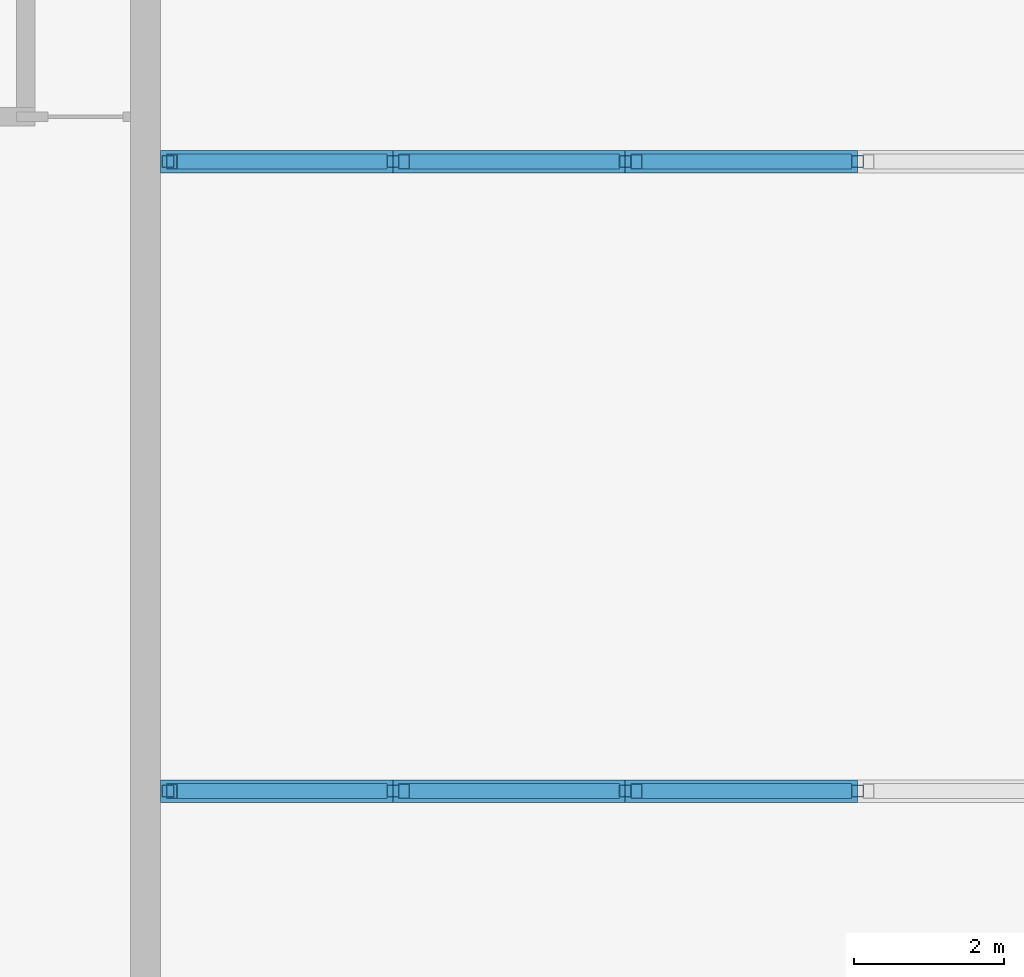
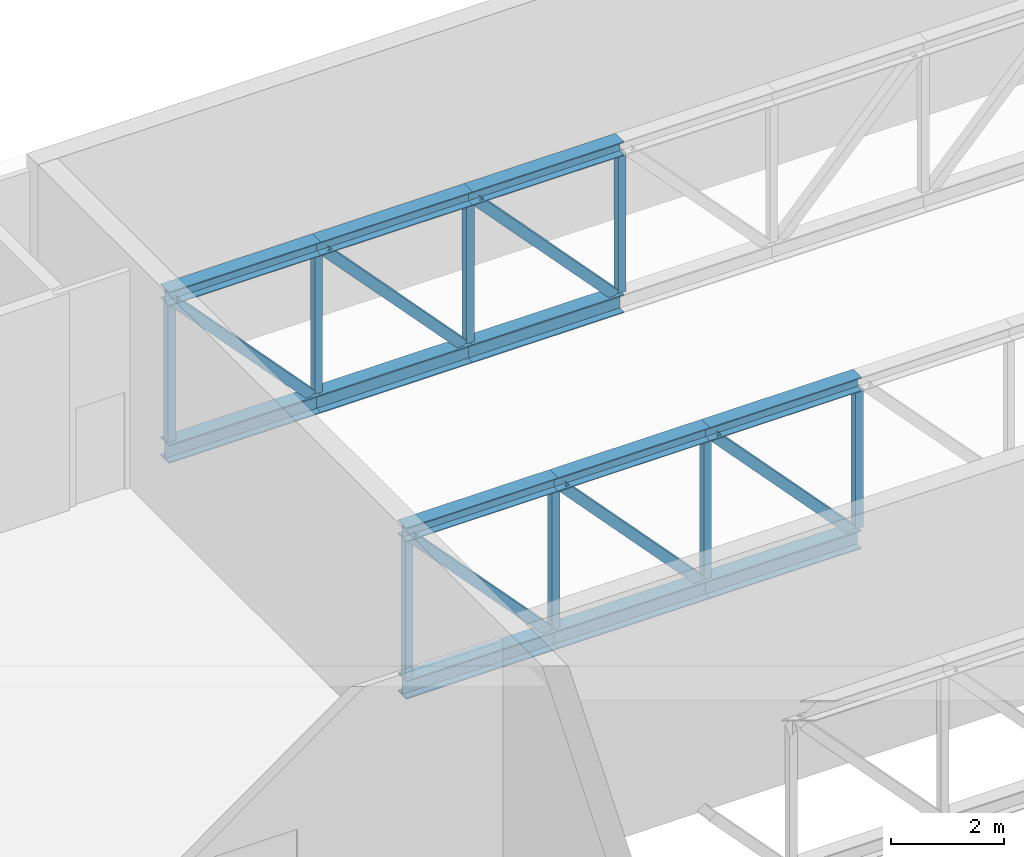
# One storey, part 6 of 26: 26 members.
"""IFC4 building model written with IfcOpenShell, lengths in metres."""

from ifc_helpers import new_model, si_unit, direction, frame, origin, origin_2d, place, context, subcontext, project, spatial, hollow_rectangle, i_section, extrude, material, material_profile, profile_set, type_object, element, save


model = new_model("IFC4")

# Units and contexts
model_context = context("Model", 3, precision=1e-05, world=origin(), true_north=direction((0.0, 1.0)))
body_context = subcontext(model_context, "Body", "Model", "MODEL_VIEW")
ifc_project = project(units=[si_unit("LENGTHUNIT", "METRE"), si_unit("AREAUNIT", "SQUARE_METRE"), si_unit("VOLUMEUNIT", "CUBIC_METRE"), si_unit("PLANEANGLEUNIT", "RADIAN"), si_unit("MASSUNIT", "GRAM", prefix="KILO")], contexts=[model_context])

# Site, building, storey
site_placement = place(None, origin())
site = spatial("IfcSite", under=ifc_project, at=site_placement, CompositionType="ELEMENT")
building_placement = place(site_placement, origin())
building = spatial("IfcBuilding", under=site, at=building_placement, Name="Candeia Pilgrim Tower and Theatre", CompositionType="ELEMENT")
storey_placement = place(building_placement, frame((0.0, 0.0, 34.0)))
storey = spatial("IfcBuildingStorey", under=building, at=storey_placement, Name="L05", CompositionType="ELEMENT", Elevation=34.0)

# Members
ifc_material = material(Name="Steel S355", Category="steel")
ifc_material_profile_1 = material_profile(ifc_material, i_section(OverallWidth=0.300048828125, OverallDepth=0.300048828125, WebThickness=0.010986328125, FlangeThickness=0.01904296875, at=origin_2d()))
ifc_profile_set_1 = profile_set([ifc_material_profile_1], Name="Steel S355")
member_type_1 = type_object("IfcMemberType", Name="Truss chord HEB 300", PredefinedType="CHORD", material=ifc_profile_set_1)
member_1_placement = place(storey_placement, frame((193.0, 103.800048828125, 4.35009765625), z_axis=(1.0, 0.0, 0.0), x_axis=(0.0, 1.0, 0.0)))
element("IfcMember", 1, at=member_1_placement, inside=storey, type_object=member_type_1, Name="Truss 5 top chord 1", PredefinedType="CHORD", context=body_context, shape_type="SweptSolid", body=[
    extrude(i_section(OverallWidth=0.300048828125, OverallDepth=0.300048828125, WebThickness=0.010986328125, FlangeThickness=0.01904296875, at=origin_2d()), origin(), (0.0, 0.0, 1.0), 3.10009765625),
])
member_2_placement = place(storey_placement, frame((196.10009765625, 103.800048828125, 4.35009765625), z_axis=(1.0, 0.0, 0.0), x_axis=(0.0, 1.0, 0.0)))
element("IfcMember", 2, at=member_2_placement, inside=storey, type_object=member_type_1, Name="Truss 5 top chord 2", PredefinedType="CHORD", context=body_context, shape_type="SweptSolid", body=[
    extrude(i_section(OverallWidth=0.300048828125, OverallDepth=0.300048828125, WebThickness=0.010986328125, FlangeThickness=0.01904296875, at=origin_2d()), origin(), (0.0, 0.0, 1.0), 3.099853515625),
])
for number, where, z_axis, x_axis, name in (
    (3, (199.199951171875, 103.800048828125, 4.35009765625), (1.0, 0.0, 0.0), (0.0, 1.0, 0.0), "Truss 5 top chord 3"),
    (4, (193.0, 112.199951171875, 4.35009765625), (1.0, 0.0, 0.0), (0.0, 1.0, 0.0), "Truss 6 top chord 1"),
):
    element("IfcMember", number, at=place(storey_placement, frame(where, z_axis=z_axis, x_axis=x_axis)), inside=storey, type_object=member_type_1, Name=name, PredefinedType="CHORD", context=body_context, shape_type="SweptSolid", body=[
        extrude(i_section(OverallWidth=0.300048828125, OverallDepth=0.300048828125, WebThickness=0.010986328125, FlangeThickness=0.01904296875, at=origin_2d()), origin(), (0.0, 0.0, 1.0), 3.10009765625),
    ])
member_3_placement = place(storey_placement, frame((196.10009765625, 112.199951171875, 4.35009765625), z_axis=(1.0, 0.0, 0.0), x_axis=(0.0, 1.0, 0.0)))
element("IfcMember", 5, at=member_3_placement, inside=storey, type_object=member_type_1, Name="Truss 6 top chord 2", PredefinedType="CHORD", context=body_context, shape_type="SweptSolid", body=[
    extrude(i_section(OverallWidth=0.300048828125, OverallDepth=0.300048828125, WebThickness=0.010986328125, FlangeThickness=0.01904296875, at=origin_2d()), origin(), (0.0, 0.0, 1.0), 3.099853515625),
])
member_4_placement = place(storey_placement, frame((199.199951171875, 112.199951171875, 4.35009765625), z_axis=(1.0, 0.0, 0.0), x_axis=(0.0, 1.0, 0.0)))
element("IfcMember", 6, at=member_4_placement, inside=storey, type_object=member_type_1, Name="Truss 6 top chord 3", PredefinedType="CHORD", context=body_context, shape_type="SweptSolid", body=[
    extrude(i_section(OverallWidth=0.300048828125, OverallDepth=0.300048828125, WebThickness=0.010986328125, FlangeThickness=0.01904296875, at=origin_2d()), origin(), (0.0, 0.0, 1.0), 3.10009765625),
])
ifc_material_profile_2 = material_profile(ifc_material, i_section(OverallWidth=0.300048828125, OverallDepth=0.39990234375, WebThickness=0.013427734375, FlangeThickness=0.02392578125, at=origin_2d()))
ifc_profile_set_2 = profile_set([ifc_material_profile_2], Name="Steel S355")
member_type_2 = type_object("IfcMemberType", Name="Truss chord HEB 400", PredefinedType="CHORD", material=ifc_profile_set_2)
member_5_placement = place(storey_placement, frame((193.0, 103.800048828125, 1.0), z_axis=(1.0, 0.0, 0.0), x_axis=(0.0, 1.0, 0.0)))
element("IfcMember", 7, at=member_5_placement, inside=storey, type_object=member_type_2, Name="Truss 5 bottom chord 1", PredefinedType="CHORD", context=body_context, shape_type="SweptSolid", body=[
    extrude(i_section(OverallWidth=0.300048828125, OverallDepth=0.39990234375, WebThickness=0.013427734375, FlangeThickness=0.02392578125, at=origin_2d()), origin(), (0.0, 0.0, 1.0), 3.10009765625),
])
member_6_placement = place(storey_placement, frame((196.10009765625, 103.800048828125, 1.0), z_axis=(1.0, 0.0, 0.0), x_axis=(0.0, 1.0, 0.0)))
element("IfcMember", 8, at=member_6_placement, inside=storey, type_object=member_type_2, Name="Truss 5 bottom chord 2", PredefinedType="CHORD", context=body_context, shape_type="SweptSolid", body=[
    extrude(i_section(OverallWidth=0.300048828125, OverallDepth=0.39990234375, WebThickness=0.013427734375, FlangeThickness=0.02392578125, at=origin_2d()), origin(), (0.0, 0.0, 1.0), 3.099853515625),
])
for number, where, z_axis, x_axis, name in (
    (9, (199.199951171875, 103.800048828125, 1.0), (1.0, 0.0, 0.0), (0.0, 1.0, 0.0), "Truss 5 bottom chord 3"),
    (10, (193.0, 112.199951171875, 1.0), (1.0, 0.0, 0.0), (0.0, 1.0, 0.0), "Truss 6 bottom chord 1"),
):
    element("IfcMember", number, at=place(storey_placement, frame(where, z_axis=z_axis, x_axis=x_axis)), inside=storey, type_object=member_type_2, Name=name, PredefinedType="CHORD", context=body_context, shape_type="SweptSolid", body=[
        extrude(i_section(OverallWidth=0.300048828125, OverallDepth=0.39990234375, WebThickness=0.013427734375, FlangeThickness=0.02392578125, at=origin_2d()), origin(), (0.0, 0.0, 1.0), 3.10009765625),
    ])
member_7_placement = place(storey_placement, frame((196.10009765625, 112.199951171875, 1.0), z_axis=(1.0, 0.0, 0.0), x_axis=(0.0, 1.0, 0.0)))
element("IfcMember", 11, at=member_7_placement, inside=storey, type_object=member_type_2, Name="Truss 6 bottom chord 2", PredefinedType="CHORD", context=body_context, shape_type="SweptSolid", body=[
    extrude(i_section(OverallWidth=0.300048828125, OverallDepth=0.39990234375, WebThickness=0.013427734375, FlangeThickness=0.02392578125, at=origin_2d()), origin(), (0.0, 0.0, 1.0), 3.099853515625),
])
member_8_placement = place(storey_placement, frame((199.199951171875, 112.199951171875, 1.0), z_axis=(1.0, 0.0, 0.0), x_axis=(0.0, 1.0, 0.0)))
element("IfcMember", 12, at=member_8_placement, inside=storey, type_object=member_type_2, Name="Truss 6 bottom chord 3", PredefinedType="CHORD", context=body_context, shape_type="SweptSolid", body=[
    extrude(i_section(OverallWidth=0.300048828125, OverallDepth=0.39990234375, WebThickness=0.013427734375, FlangeThickness=0.02392578125, at=origin_2d()), origin(), (0.0, 0.0, 1.0), 3.10009765625),
])
ifc_material_profile_3 = material_profile(ifc_material, hollow_rectangle(XDim=0.199951171875, YDim=0.199951171875, WallThickness=0.010009765625, at=origin_2d()))
ifc_profile_set_3 = profile_set([ifc_material_profile_3], Name="Steel S355")
member_type_3 = type_object("IfcMemberType", Name="Truss diagonal SHS 200x200x10", PredefinedType="BRACE", material=ifc_profile_set_3)
for number, where, z_axis, x_axis, name in (
    (13, (193.14990234375, 103.800048828125, 4.199951171875), (0.682324609438, 0.0, -0.731049333052), (0.0, 1.0, 0.0), "Truss 5 diagonal 1"),
    (14, (196.25, 103.800048828125, 4.199951171875), (0.682324609438, 0.0, -0.731049333052), (0.0, 1.0, 0.0), "Truss 5 diagonal 2"),
):
    element("IfcMember", number, at=place(storey_placement, frame(where, z_axis=z_axis, x_axis=x_axis)), inside=storey, type_object=member_type_3, Name=name, PredefinedType="BRACE", context=body_context, shape_type="SweptSolid", body=[
        extrude(hollow_rectangle(XDim=0.199951171875, YDim=0.199951171875, WallThickness=0.010009765625, at=origin_2d()), origin(), (0.0, 0.0, 1.0), 4.103759765625),
    ])
member_9_placement = place(storey_placement, frame((199.35009765625, 103.800048828125, 4.199951171875), z_axis=(0.6822928125, 0.0, -0.731079009417), x_axis=(0.0, 1.0, 0.0)))
element("IfcMember", 15, at=member_9_placement, inside=storey, type_object=member_type_3, Name="Truss 5 diagonal 3", PredefinedType="BRACE", context=body_context, shape_type="SweptSolid", body=[
    extrude(hollow_rectangle(XDim=0.199951171875, YDim=0.199951171875, WallThickness=0.010009765625, at=origin_2d()), origin(), (0.0, 0.0, 1.0), 4.103515625),
])
for number, where, z_axis, x_axis, name in (
    (16, (193.14990234375, 112.199951171875, 4.199951171875), (0.682324609438, 0.0, -0.731049333052), (0.0, 1.0, 0.0), "Truss 6 diagonal 1"),
    (17, (196.25, 112.199951171875, 4.199951171875), (0.682324609438, 0.0, -0.731049333052), (0.0, 1.0, 0.0), "Truss 6 diagonal 2"),
):
    element("IfcMember", number, at=place(storey_placement, frame(where, z_axis=z_axis, x_axis=x_axis)), inside=storey, type_object=member_type_3, Name=name, PredefinedType="BRACE", context=body_context, shape_type="SweptSolid", body=[
        extrude(hollow_rectangle(XDim=0.199951171875, YDim=0.199951171875, WallThickness=0.010009765625, at=origin_2d()), origin(), (0.0, 0.0, 1.0), 4.103759765625),
    ])
member_10_placement = place(storey_placement, frame((199.35009765625, 112.199951171875, 4.199951171875), z_axis=(0.6822928125, 0.0, -0.731079009417), x_axis=(0.0, 1.0, 0.0)))
element("IfcMember", 18, at=member_10_placement, inside=storey, type_object=member_type_3, Name="Truss 6 diagonal 3", PredefinedType="BRACE", context=body_context, shape_type="SweptSolid", body=[
    extrude(hollow_rectangle(XDim=0.199951171875, YDim=0.199951171875, WallThickness=0.010009765625, at=origin_2d()), origin(), (0.0, 0.0, 1.0), 4.103515625),
])
ifc_material_profile_4 = material_profile(ifc_material, hollow_rectangle(XDim=0.159912109375, YDim=0.159912109375, WallThickness=0.008056640625, at=origin_2d()))
ifc_profile_set_4 = profile_set([ifc_material_profile_4], Name="Steel S355")
member_type_4 = type_object("IfcMemberType", Name="Truss post SHS 160x160x8", PredefinedType="POST", material=ifc_profile_set_4)
for number, where, z_axis, x_axis, name in (
    (19, (193.10009765625, 103.800048828125, 1.199951171875), (0.0, 0.0, 1.0), (1.0, 0.0, 0.0), "Truss 5 post 1"),
    (20, (196.10009765625, 103.800048828125, 1.199951171875), (0.0, 0.0, 1.0), (1.0, 0.0, 0.0), "Truss 5 post 2"),
    (21, (199.199951171875, 103.800048828125, 1.199951171875), (0.0, 0.0, 1.0), (1.0, 0.0, 0.0), "Truss 5 post 3"),
    (22, (202.300048828125, 103.800048828125, 1.199951171875), (0.0, 0.0, 1.0), (1.0, 0.0, 0.0), "Truss 5 post 4"),
    (23, (193.10009765625, 112.199951171875, 1.199951171875), (0.0, 0.0, 1.0), (1.0, 0.0, 0.0), "Truss 6 post 1"),
    (24, (196.10009765625, 112.199951171875, 1.199951171875), (0.0, 0.0, 1.0), (1.0, 0.0, 0.0), "Truss 6 post 2"),
    (25, (199.199951171875, 112.199951171875, 1.199951171875), (0.0, 0.0, 1.0), (1.0, 0.0, 0.0), "Truss 6 post 3"),
    (26, (202.300048828125, 112.199951171875, 1.199951171875), (0.0, 0.0, 1.0), (1.0, 0.0, 0.0), "Truss 6 post 4"),
):
    element("IfcMember", number, at=place(storey_placement, frame(where, z_axis=z_axis, x_axis=x_axis)), inside=storey, type_object=member_type_4, Name=name, PredefinedType="POST", context=body_context, shape_type="SweptSolid", body=[
        extrude(hollow_rectangle(XDim=0.159912109375, YDim=0.159912109375, WallThickness=0.008056640625, at=origin_2d()), origin(), (0.0, 0.0, 1.0), 3.0),
    ])

save(model, "model.ifc")
